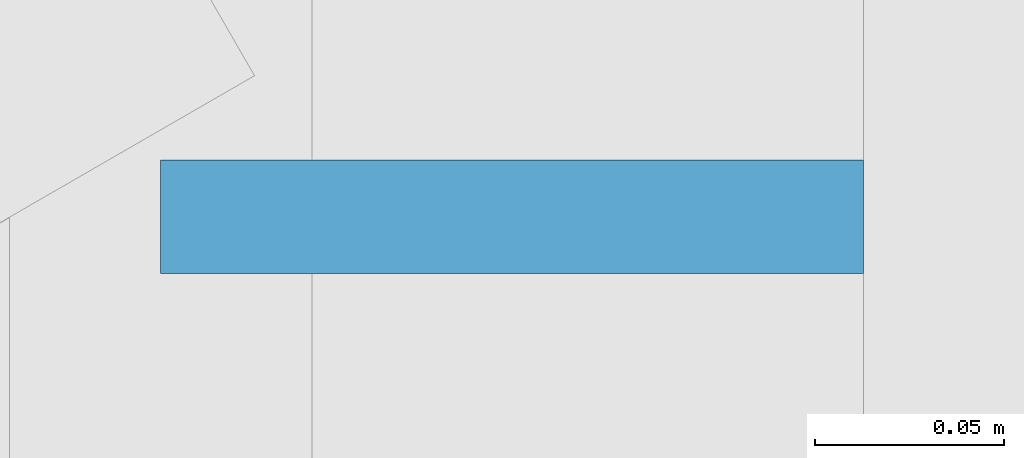
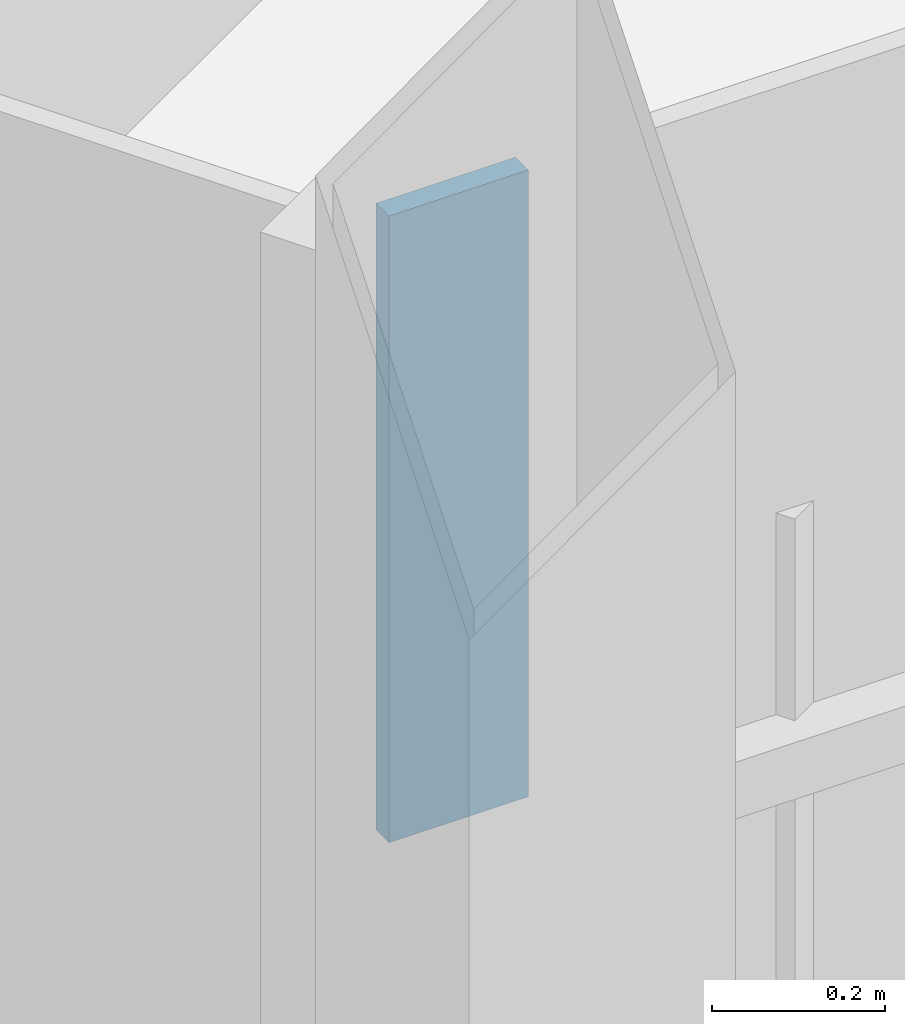
# One storey, part 18 of 25: 1 plate, 1 element without a shape of its own.
"""IFC4 building model written with IfcOpenShell, lengths in metres."""

from ifc_helpers import new_model, si_unit, direction, frame, origin, place, context, subcontext, project, spatial, polyline, outline, extrude, material, layer, layer_set, type_object, element, aggregate, save


model = new_model("IFC4")

# Units and contexts
model_context = context("Model", 3, precision=1e-05, world=origin(), true_north=direction((0.0, 1.0)))
body_context = subcontext(model_context, "Body", "Model", "MODEL_VIEW")
ifc_project = project(units=[si_unit("LENGTHUNIT", "METRE"), si_unit("AREAUNIT", "SQUARE_METRE"), si_unit("VOLUMEUNIT", "CUBIC_METRE"), si_unit("PLANEANGLEUNIT", "RADIAN"), si_unit("MASSUNIT", "GRAM", prefix="KILO")], contexts=[model_context])

# Site, building, storey
site_placement = place(None, origin())
site = spatial("IfcSite", under=ifc_project, at=site_placement, CompositionType="ELEMENT")
building_placement = place(site_placement, origin())
building = spatial("IfcBuilding", under=site, at=building_placement, Name="Firuza Gate Tower and Library", CompositionType="ELEMENT")
storey_placement = place(building_placement, frame((0.0, 0.0, 270.60009765625)))
storey = spatial("IfcBuildingStorey", under=building, at=storey_placement, Name="L64", CompositionType="ELEMENT", Elevation=270.60009765625)

# Curtain wall, plate
ifc_material_1 = material(Name="Aluminium 6063-T6", Category="aluminium")
ifc_layer_1 = layer(ifc_material_1, 0.14990234375)
ifc_layer_set_1 = layer_set([ifc_layer_1], Name="Unitised curtain wall, residences")
curtain_wall_type = type_object("IfcCurtainWallType", Name="Unitised curtain wall, residences", PredefinedType="NOTDEFINED", material=ifc_layer_set_1)
curtain_wall_placement = place(storey_placement, origin())
curtain_wall = element("IfcCurtainWall", 1, at=curtain_wall_placement, inside=storey, type_object=curtain_wall_type, Name="CW3 L64 S face", PredefinedType="NOTDEFINED")
ifc_material_2 = material(Name="Glazed ceramic tile")
ifc_layer_2 = layer(ifc_material_2, 0.030029296875)
ifc_layer_set_2 = layer_set([ifc_layer_2], Name="Opaque ceramic panel, residences")
plate_type = type_object("IfcPlateType", Name="Opaque ceramic panel, residences", PredefinedType="CURTAIN_PANEL", material=ifc_layer_set_2)
plate_placement = place(storey_placement, frame((52.01806640625, 57.486328125, 2.414794921875), z_axis=(0.0, -1.0, 0.0), x_axis=(1.0, 0.0, 0.0)))
plate = element("IfcPlate", 2, at=plate_placement, type_object=plate_type, Name="Opaque ceramic panel", PredefinedType="CURTAIN_PANEL", context=body_context, shape_type="SweptSolid", body=[
    extrude(outline(polyline([(0.0, 0.0), (0.18603515625, 0.0), (0.18603515625, 0.885009765625), (0.0, 0.885009765625), (0.0, 0.0)])), origin(), (0.0, 0.0, -1.0), 0.030029296875),
])
aggregate(curtain_wall, [plate])

save(model, "model.ifc")
